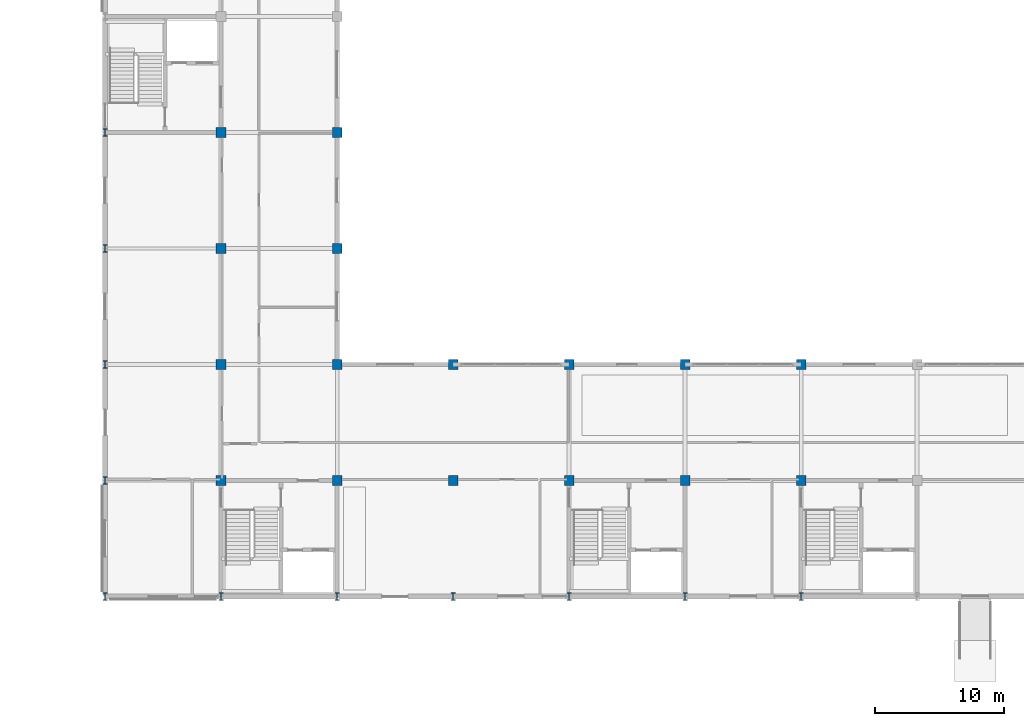
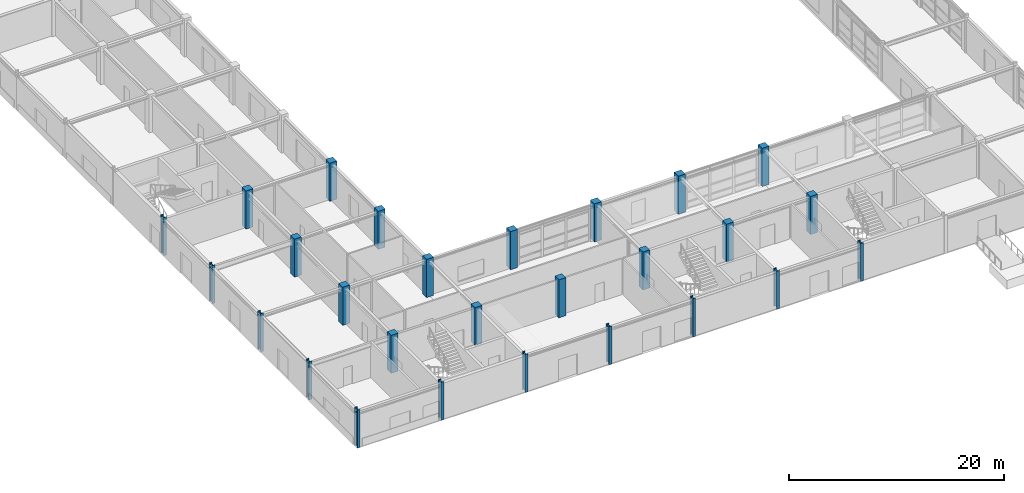
# One storey, part 2 of 72: 27 columns.
"""IFC4 building model written with IfcOpenShell, lengths in metres."""

from ifc_helpers import new_model, si_unit, direction, frame, origin, origin_2d, place, context, subcontext, project, spatial, rectangle, i_section, extrude, material, material_profile, profile_set, type_object, element, save


model = new_model("IFC4")

# Units and contexts
model_context = context("Model", 3, precision=1e-05, world=origin(), true_north=direction((0.0, 1.0)))
body_context = subcontext(model_context, "Body", "Model", "MODEL_VIEW")
ifc_project = project(units=[si_unit("LENGTHUNIT", "METRE"), si_unit("AREAUNIT", "SQUARE_METRE"), si_unit("VOLUMEUNIT", "CUBIC_METRE"), si_unit("PLANEANGLEUNIT", "RADIAN"), si_unit("MASSUNIT", "GRAM", prefix="KILO")], contexts=[model_context])

# Site, building, storey
site_placement = place(None, origin())
site = spatial("IfcSite", under=ifc_project, at=site_placement, CompositionType="ELEMENT")
building_placement = place(site_placement, origin())
building = spatial("IfcBuilding", under=site, at=building_placement, Name="Palais des Congres Ocreval", CompositionType="ELEMENT")
storey_placement = place(building_placement, origin())
storey = spatial("IfcBuildingStorey", under=building, at=storey_placement, Name="L00", CompositionType="ELEMENT", Elevation=0.0)

# Columns
ifc_material_1 = material(Name="Steel S460", Category="steel")
ifc_material_profile_1 = material_profile(ifc_material_1, i_section(OverallWidth=0.305908203125, OverallDepth=0.572021484375, WebThickness=0.02099609375, FlangeThickness=0.0400390625, at=origin_2d()), Name="HEM 550")
ifc_profile_set_1 = profile_set([ifc_material_profile_1], Name="Steel S460")
column_type_1 = type_object("IfcColumnType", Name="Column HEM 550 Steel S460", PredefinedType="COLUMN", material=ifc_profile_set_1)
for number, where, z_axis, x_axis, name in (
    (1, (0.0, 0.0, 0.0), (0.0, 0.0, 1.0), (1.0, 0.0, 0.0), "Column C05 L00"),
    (2, (0.0, 9.0, 0.0), (0.0, 0.0, 1.0), (1.0, 0.0, 0.0), "Column C05 L00"),
    (3, (0.0, 18.0, 0.0), (0.0, 0.0, 1.0), (1.0, 0.0, 0.0), "Column C05 L00"),
    (4, (0.0, 27.0, 0.0), (0.0, 0.0, 1.0), (1.0, 0.0, 0.0), "Column C05 L00"),
    (5, (0.0, 36.0, 0.0), (0.0, 0.0, 1.0), (1.0, 0.0, 0.0), "Column C05 L00"),
    (6, (9.0, 0.0, 0.0), (0.0, 0.0, 1.0), (1.0, 0.0, 0.0), "Column C05 L00"),
    (7, (18.0, 0.0, 0.0), (0.0, 0.0, 1.0), (1.0, 0.0, 0.0), "Column C05 L00"),
    (8, (27.0, 0.0, 0.0), (0.0, 0.0, 1.0), (1.0, 0.0, 0.0), "Column C05 L00"),
    (9, (36.0, 0.0, 0.0), (0.0, 0.0, 1.0), (1.0, 0.0, 0.0), "Column C05 L00"),
    (10, (45.0, 0.0, 0.0), (0.0, 0.0, 1.0), (1.0, 0.0, 0.0), "Column C05 L00"),
    (11, (54.0, 0.0, 0.0), (0.0, 0.0, 1.0), (1.0, 0.0, 0.0), "Column C05 L00"),
):
    element("IfcColumn", number, at=place(storey_placement, frame(where, z_axis=z_axis, x_axis=x_axis)), inside=storey, type_object=column_type_1, Name=name, PredefinedType="COLUMN", context=body_context, shape_type="SweptSolid", body=[
        extrude(i_section(OverallWidth=0.305908203125, OverallDepth=0.572021484375, WebThickness=0.02099609375, FlangeThickness=0.0400390625, at=origin_2d()), origin(), (0.0, 0.0, 1.0), 4.320068359375),
    ])
ifc_material_2 = material(Name="Concrete C40/50", Category="concrete")
ifc_material_profile_2 = material_profile(ifc_material_2, rectangle(XDim=0.75, YDim=0.75, at=origin_2d()), Name="RC 750x750")
ifc_profile_set_2 = profile_set([ifc_material_profile_2], Name="Concrete C40/50")
column_type_2 = type_object("IfcColumnType", Name="Column RC 750x750 Concrete C40/50", PredefinedType="COLUMN", material=ifc_profile_set_2)
for number, where, z_axis, x_axis, name in (
    (12, (9.0, 9.0, 0.0), (0.0, 0.0, 1.0), (1.0, 0.0, 0.0), "Column C22 L00"),
    (13, (9.0, 18.0, 0.0), (0.0, 0.0, 1.0), (1.0, 0.0, 0.0), "Column C22 L00"),
    (14, (9.0, 27.0, 0.0), (0.0, 0.0, 1.0), (1.0, 0.0, 0.0), "Column C22 L00"),
    (15, (9.0, 36.0, 0.0), (0.0, 0.0, 1.0), (1.0, 0.0, 0.0), "Column C22 L00"),
    (16, (18.0, 9.0, 0.0), (0.0, 0.0, 1.0), (1.0, 0.0, 0.0), "Column C22 L00"),
    (17, (18.0, 18.0, 0.0), (0.0, 0.0, 1.0), (1.0, 0.0, 0.0), "Column C22 L00"),
    (18, (18.0, 27.0, 0.0), (0.0, 0.0, 1.0), (1.0, 0.0, 0.0), "Column C22 L00"),
    (19, (18.0, 36.0, 0.0), (0.0, 0.0, 1.0), (1.0, 0.0, 0.0), "Column C22 L00"),
    (20, (27.0, 9.0, 0.0), (0.0, 0.0, 1.0), (1.0, 0.0, 0.0), "Column C22 L00"),
    (21, (27.0, 18.0, 0.0), (0.0, 0.0, 1.0), (1.0, 0.0, 0.0), "Column C22 L00"),
    (22, (36.0, 9.0, 0.0), (0.0, 0.0, 1.0), (1.0, 0.0, 0.0), "Column C22 L00"),
    (23, (36.0, 18.0, 0.0), (0.0, 0.0, 1.0), (1.0, 0.0, 0.0), "Column C22 L00"),
    (24, (45.0, 9.0, 0.0), (0.0, 0.0, 1.0), (1.0, 0.0, 0.0), "Column C22 L00"),
    (25, (45.0, 18.0, 0.0), (0.0, 0.0, 1.0), (1.0, 0.0, 0.0), "Column C22 L00"),
    (26, (54.0, 9.0, 0.0), (0.0, 0.0, 1.0), (1.0, 0.0, 0.0), "Column C22 L00"),
    (27, (54.0, 18.0, 0.0), (0.0, 0.0, 1.0), (1.0, 0.0, 0.0), "Column C22 L00"),
):
    element("IfcColumn", number, at=place(storey_placement, frame(where, z_axis=z_axis, x_axis=x_axis)), inside=storey, type_object=column_type_2, Name=name, PredefinedType="COLUMN", context=body_context, shape_type="SweptSolid", body=[
        extrude(rectangle(XDim=0.75, YDim=0.75, at=origin_2d()), origin(), (0.0, 0.0, 1.0), 4.320068359375),
    ])

save(model, "model.ifc")
